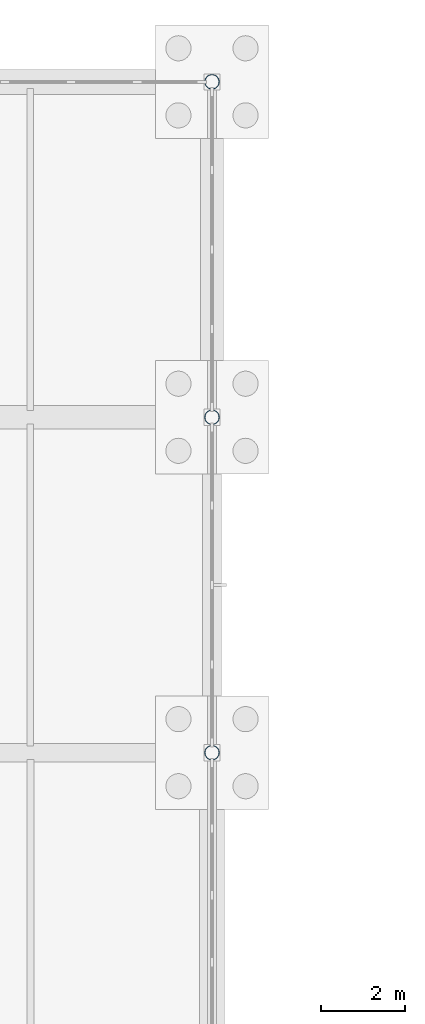
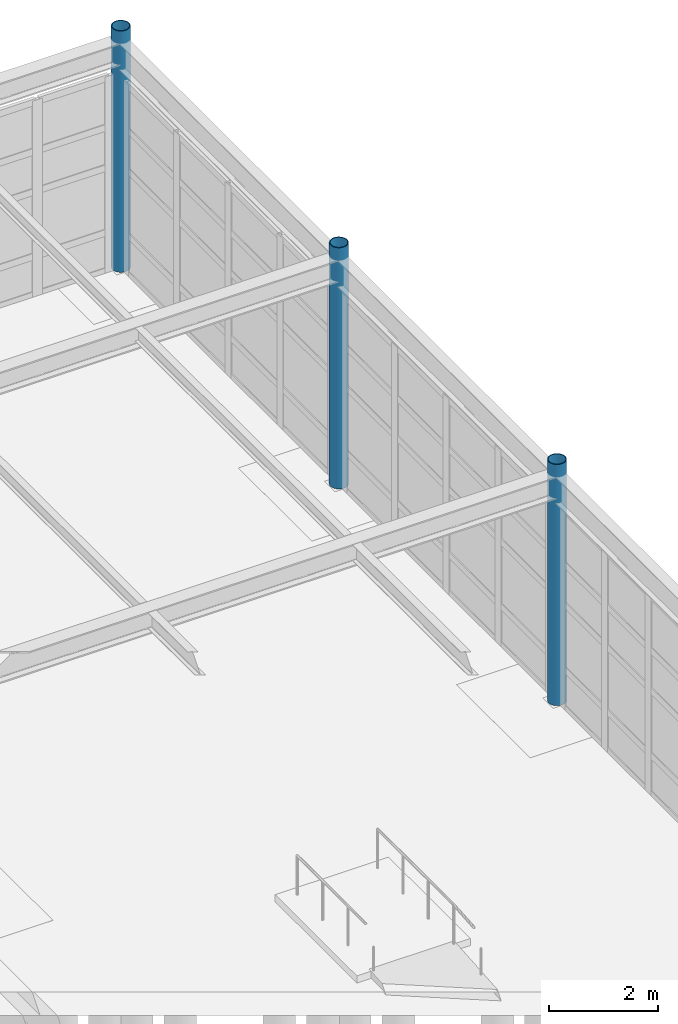
# One storey, part 30 of 145: 3 columns.
"""IFC4 building model written with IfcOpenShell, lengths in metres."""

from ifc_helpers import new_model, si_unit, direction, frame, origin, origin_2d, place, context, subcontext, project, spatial, hollow_circle, extrude, material, material_profile, profile_set, type_object, element, save


model = new_model("IFC4")

# Units and contexts
model_context = context("Model", 3, precision=1e-05, world=origin(), true_north=direction((0.0, 1.0)))
body_context = subcontext(model_context, "Body", "Model", "MODEL_VIEW")
ifc_project = project(units=[si_unit("LENGTHUNIT", "METRE"), si_unit("AREAUNIT", "SQUARE_METRE"), si_unit("VOLUMEUNIT", "CUBIC_METRE"), si_unit("PLANEANGLEUNIT", "RADIAN"), si_unit("MASSUNIT", "GRAM", prefix="KILO"), si_unit("THERMODYNAMICTEMPERATUREUNIT", "KELVIN"), si_unit("POWERUNIT", "WATT")], contexts=[model_context])

# Site, building, storey
site_placement = place(None, origin())
site = spatial("IfcSite", under=ifc_project, at=site_placement, CompositionType="ELEMENT")
building_placement = place(site_placement, origin())
building = spatial("IfcBuilding", under=site, at=building_placement, Name="Korenveer Ferry Terminal", CompositionType="ELEMENT")
storey_placement = place(building_placement, origin())
storey = spatial("IfcBuildingStorey", under=building, at=storey_placement, Name="L00", CompositionType="ELEMENT", Elevation=0.0)

# Columns
ifc_material = material(Name="Steel S355", Category="steel")
ifc_material_profile = material_profile(ifc_material, hollow_circle(Radius=0.177734375, WallThickness=0.01611328125, at=origin_2d()), Name="CHS 355.6x16")
ifc_profile_set = profile_set([ifc_material_profile], Name="Steel S355")
column_type = type_object("IfcColumnType", Name="STR-COL-CHS355", PredefinedType="COLUMN", material=ifc_profile_set)
for number, where, z_axis, x_axis, name in (
    (1, (136.0, 100.0, 0.0), (0.0, 0.0, 1.0), (1.0, 0.0, 0.0), "Column COL-L00-X136-Y100"),
    (2, (136.0, 108.0, 0.0), (0.0, 0.0, 1.0), (1.0, 0.0, 0.0), "Column COL-L00-X136-Y108"),
    (3, (136.0, 116.0, 0.0), (0.0, 0.0, 1.0), (1.0, 0.0, 0.0), "Column COL-L00-X136-Y116"),
):
    element("IfcColumn", number, at=place(storey_placement, frame(where, z_axis=z_axis, x_axis=x_axis)), inside=storey, type_object=column_type, Name=name, PredefinedType="COLUMN", context=body_context, shape_type="SweptSolid", body=[
        extrude(hollow_circle(Radius=0.177734375, WallThickness=0.01611328125, at=origin_2d()), origin(), (0.0, 0.0, 1.0), 5.39990234375),
    ])

save(model, "model.ifc")
